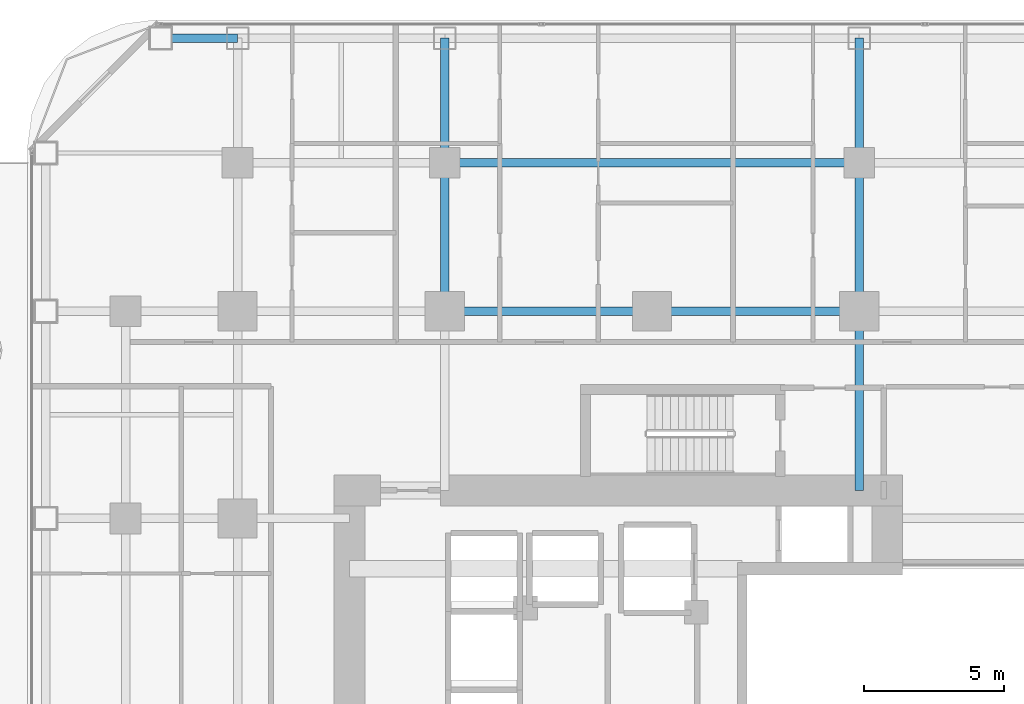
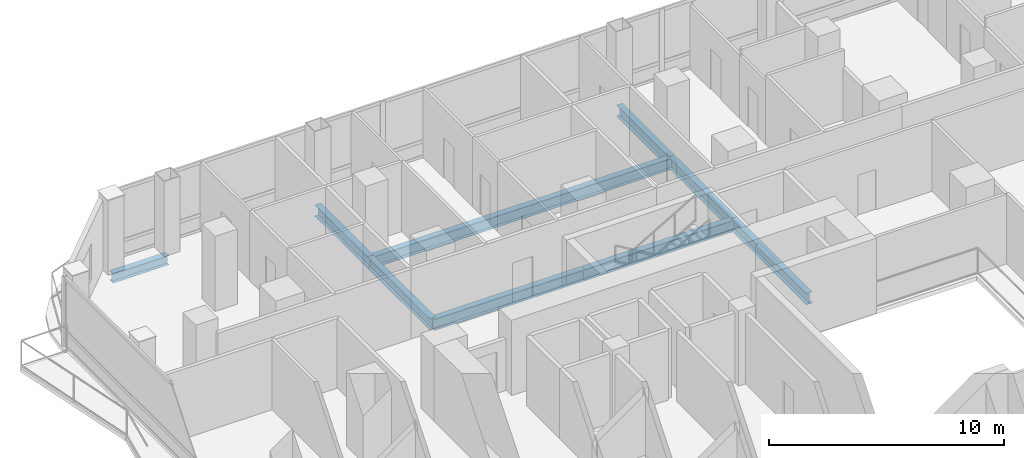
# One storey, part 15 of 27: 9 beams.
"""IFC4 building model written with IfcOpenShell, lengths in metres."""

from ifc_helpers import new_model, si_unit, direction, frame, origin, origin_2d, place, context, subcontext, project, spatial, i_section, extrude, material, material_profile, profile_set, type_object, element, save


model = new_model("IFC4")

# Units and contexts
model_context = context("Model", 3, precision=1e-05, world=origin(), true_north=direction((0.0, 1.0)))
body_context = subcontext(model_context, "Body", "Model", "MODEL_VIEW")
ifc_project = project(units=[si_unit("LENGTHUNIT", "METRE"), si_unit("AREAUNIT", "SQUARE_METRE"), si_unit("VOLUMEUNIT", "CUBIC_METRE"), si_unit("PLANEANGLEUNIT", "RADIAN"), si_unit("MASSUNIT", "GRAM", prefix="KILO")], contexts=[model_context])

# Site, building, storey
site_placement = place(None, origin())
site = spatial("IfcSite", under=ifc_project, at=site_placement, CompositionType="ELEMENT")
building_placement = place(site_placement, origin())
building = spatial("IfcBuilding", under=site, at=building_placement, Name="Khorvyn Point Tower", CompositionType="ELEMENT")
storey_placement = place(building_placement, frame((0.0, 0.0, 50.10009765625)))
storey = spatial("IfcBuildingStorey", under=building, at=storey_placement, Name="L13", CompositionType="ELEMENT", Elevation=50.10009765625)

# Beams
ifc_material = material(Name="Steel S355", Category="steel")
ifc_material_profile_1 = material_profile(ifc_material, i_section(OverallWidth=0.300048828125, OverallDepth=0.587890625, WebThickness=0.011962890625, FlangeThickness=0.02001953125, at=origin_2d()))
ifc_profile_set_1 = profile_set([ifc_material_profile_1], Name="Steel S355 H588x300x12x20")
beam_type_1 = type_object("IfcBeamType", Name="Steel S355 Beam H588x300x12x20", PredefinedType="BEAM", material=ifc_profile_set_1)
for number, where, z_axis, x_axis, name in (
    (1, (-7.39990234375, 14.800048828125, -0.51416015625), (1.0, 0.0, 0.0), (0.0, 1.0, 0.0), "Beam"),
    (2, (0.0, 14.800048828125, -0.51416015625), (1.0, 0.0, 0.0), (0.0, 1.0, 0.0), "Beam"),
):
    element("IfcBeam", number, at=place(storey_placement, frame(where, z_axis=z_axis, x_axis=x_axis)), inside=storey, type_object=beam_type_1, Name=name, PredefinedType="BEAM", context=body_context, shape_type="SweptSolid", body=[
        extrude(i_section(OverallWidth=0.300048828125, OverallDepth=0.587890625, WebThickness=0.011962890625, FlangeThickness=0.02001953125, at=origin_2d()), origin(), (0.0, 0.0, 1.0), 7.39990234375),
    ])
beam_1_placement = place(storey_placement, frame((-7.39990234375, 20.10009765625, -0.51416015625), z_axis=(1.0, 0.0, 0.0), x_axis=(0.0, 1.0, 0.0)))
element("IfcBeam", 3, at=beam_1_placement, inside=storey, type_object=beam_type_1, Name="Beam", PredefinedType="BEAM", context=body_context, shape_type="SweptSolid", body=[
    extrude(i_section(OverallWidth=0.300048828125, OverallDepth=0.587890625, WebThickness=0.011962890625, FlangeThickness=0.02001953125, at=origin_2d()), origin(), (0.0, 0.0, 1.0), 14.7998046875),
])
beam_2_placement = place(storey_placement, frame((-7.39990234375, 14.800048828125, -0.51416015625), z_axis=(0.0, 1.0, 0.0), x_axis=(-1.0, 0.0, 0.0)))
element("IfcBeam", 4, at=beam_2_placement, inside=storey, type_object=beam_type_1, Name="Beam", PredefinedType="BEAM", context=body_context, shape_type="SweptSolid", body=[
    extrude(i_section(OverallWidth=0.300048828125, OverallDepth=0.587890625, WebThickness=0.011962890625, FlangeThickness=0.02001953125, at=origin_2d()), origin(), (0.0, 0.0, 1.0), 5.300048828125),
])
beam_3_placement = place(storey_placement, frame((-7.39990234375, 20.10009765625, -0.51416015625), z_axis=(0.0, 1.0, 0.0), x_axis=(-1.0, 0.0, 0.0)))
element("IfcBeam", 5, at=beam_3_placement, inside=storey, type_object=beam_type_1, Name="Beam", PredefinedType="BEAM", context=body_context, shape_type="SweptSolid", body=[
    extrude(i_section(OverallWidth=0.300048828125, OverallDepth=0.587890625, WebThickness=0.011962890625, FlangeThickness=0.02001953125, at=origin_2d()), origin(), (0.0, 0.0, 1.0), 4.449951171875),
])
beam_4_placement = place(storey_placement, frame((7.39990234375, 8.39990234375, -0.51416015625), z_axis=(0.0, 1.0, 0.0), x_axis=(-1.0, 0.0, 0.0)))
element("IfcBeam", 6, at=beam_4_placement, inside=storey, type_object=beam_type_1, Name="Beam", PredefinedType="BEAM", context=body_context, shape_type="SweptSolid", body=[
    extrude(i_section(OverallWidth=0.300048828125, OverallDepth=0.587890625, WebThickness=0.011962890625, FlangeThickness=0.02001953125, at=origin_2d()), origin(), (0.0, 0.0, 1.0), 6.400146484375),
])
beam_5_placement = place(storey_placement, frame((7.39990234375, 14.800048828125, -0.51416015625), z_axis=(0.0, 1.0, 0.0), x_axis=(-1.0, 0.0, 0.0)))
element("IfcBeam", 7, at=beam_5_placement, inside=storey, type_object=beam_type_1, Name="Beam", PredefinedType="BEAM", context=body_context, shape_type="SweptSolid", body=[
    extrude(i_section(OverallWidth=0.300048828125, OverallDepth=0.587890625, WebThickness=0.011962890625, FlangeThickness=0.02001953125, at=origin_2d()), origin(), (0.0, 0.0, 1.0), 5.300048828125),
])
beam_6_placement = place(storey_placement, frame((7.39990234375, 20.10009765625, -0.51416015625), z_axis=(0.0, 1.0, 0.0), x_axis=(-1.0, 0.0, 0.0)))
element("IfcBeam", 8, at=beam_6_placement, inside=storey, type_object=beam_type_1, Name="Beam", PredefinedType="BEAM", context=body_context, shape_type="SweptSolid", body=[
    extrude(i_section(OverallWidth=0.300048828125, OverallDepth=0.587890625, WebThickness=0.011962890625, FlangeThickness=0.02001953125, at=origin_2d()), origin(), (0.0, 0.0, 1.0), 4.449951171875),
])
ifc_material_profile_2 = material_profile(ifc_material, i_section(OverallWidth=0.300048828125, OverallDepth=0.488037109375, WebThickness=0.010986328125, FlangeThickness=0.01806640625, at=origin_2d()))
ifc_profile_set_2 = profile_set([ifc_material_profile_2], Name="Steel S355 H488x300x11x18")
beam_type_2 = type_object("IfcBeamType", Name="Steel S355 Spandrel H488x300x11x18", PredefinedType="SPANDREL", material=ifc_profile_set_2)
beam_7_placement = place(storey_placement, frame((-17.550048828125, 24.550048828125, -0.464111328125), z_axis=(1.0, 0.0, 0.0), x_axis=(0.0, 1.0, 0.0)))
element("IfcBeam", 9, at=beam_7_placement, inside=storey, type_object=beam_type_2, Name="Beam", PredefinedType="SPANDREL", context=body_context, shape_type="SweptSolid", body=[
    extrude(i_section(OverallWidth=0.300048828125, OverallDepth=0.488037109375, WebThickness=0.010986328125, FlangeThickness=0.01806640625, at=origin_2d()), origin(), (0.0, 0.0, 1.0), 2.75),
])

save(model, "model.ifc")
